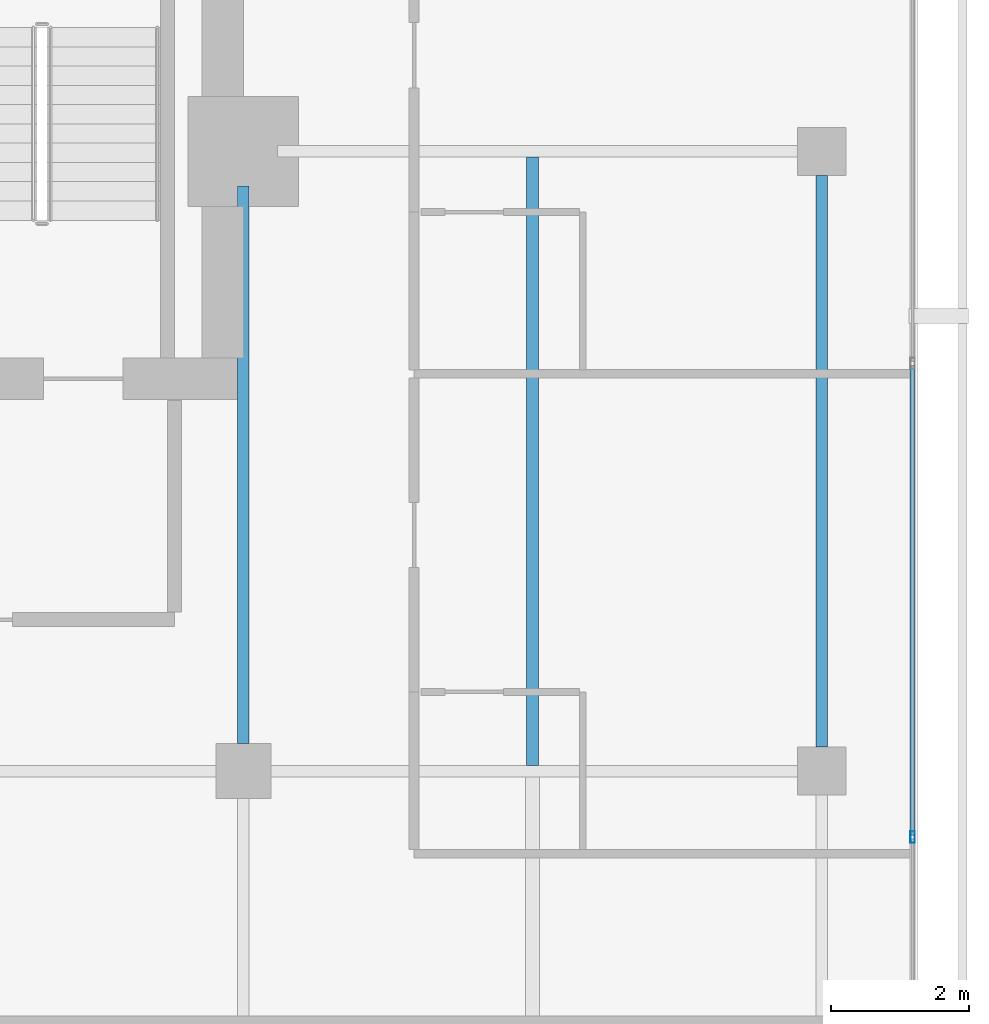
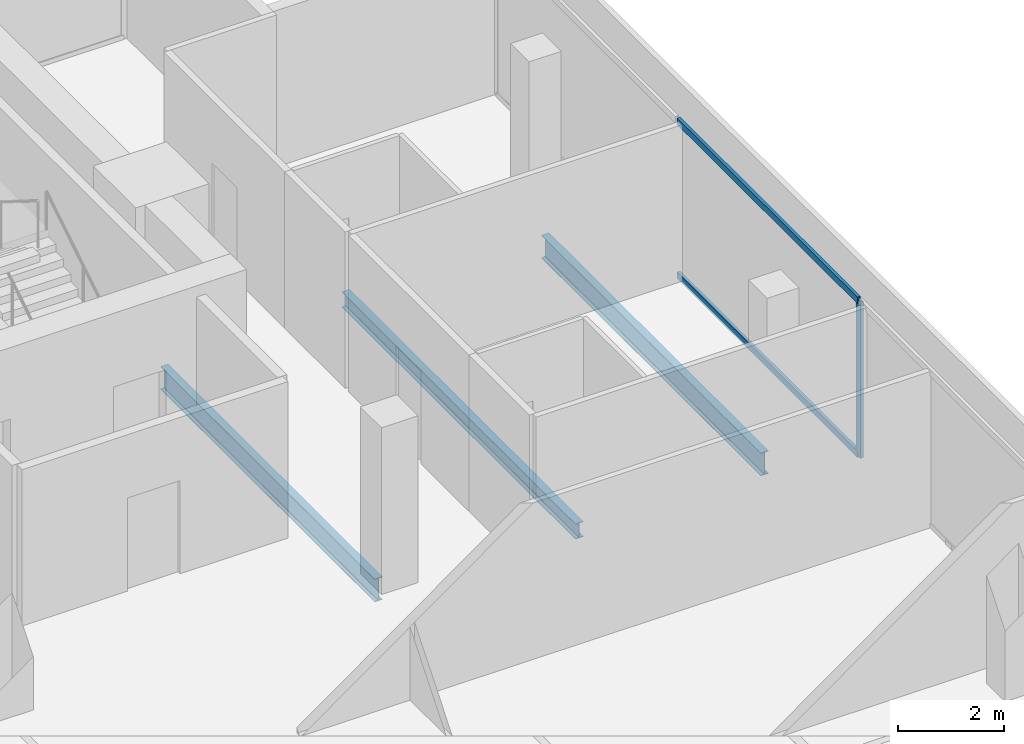
# One storey, part 15 of 25: 3 beams, 3 members, 1 element without a shape of its own.
"""IFC4 building model written with IfcOpenShell, lengths in metres."""

from ifc_helpers import new_model, si_unit, direction, frame, origin, origin_2d, place, context, subcontext, project, spatial, hollow_rectangle, i_section, extrude, material, layer, layer_set, material_profile, profile_set, type_object, element, aggregate, save


model = new_model("IFC4")

# Units and contexts
model_context = context("Model", 3, precision=1e-05, world=origin(), true_north=direction((0.0, 1.0)))
body_context = subcontext(model_context, "Body", "Model", "MODEL_VIEW")
ifc_project = project(units=[si_unit("LENGTHUNIT", "METRE"), si_unit("AREAUNIT", "SQUARE_METRE"), si_unit("VOLUMEUNIT", "CUBIC_METRE"), si_unit("PLANEANGLEUNIT", "RADIAN"), si_unit("MASSUNIT", "GRAM", prefix="KILO")], contexts=[model_context])

# Site, building, storey
site_placement = place(None, origin())
site = spatial("IfcSite", under=ifc_project, at=site_placement, CompositionType="ELEMENT")
building_placement = place(site_placement, origin())
building = spatial("IfcBuilding", under=site, at=building_placement, Name="Maruvema Waterfront Hotel and Observation Tower", CompositionType="ELEMENT")
storey_placement = place(building_placement, frame((0.0, 0.0, 297.14990234375)))
storey = spatial("IfcBuildingStorey", under=building, at=storey_placement, Name="L73", CompositionType="ELEMENT", Elevation=297.14990234375)

# Curtain wall, members
ifc_material_1 = material(Name="Anodised bronze aluminium and solar-control low-E IGU", Category="aluminium")
ifc_layer = layer(ifc_material_1, 0.159912109375, Name="Zone 3 Champagne Inner Thermal Curtain Wall System CW-04")
ifc_layer_set = layer_set([ifc_layer], Name="Anodised bronze aluminium and solar-control low-E IGU")
curtain_wall_type = type_object("IfcCurtainWallType", Name="Zone 3 Champagne Inner Thermal Curtain Wall System CW-04", PredefinedType="USERDEFINED", material=ifc_layer_set)
curtain_wall_placement = place(storey_placement, origin())
curtain_wall = element("IfcCurtainWall", 1, at=curtain_wall_placement, inside=storey, type_object=curtain_wall_type, Name="L73 Curtain Wall CW-L73-E", ObjectType="UNITISED CURTAIN WALL", PredefinedType="USERDEFINED")
ifc_material_2 = material(Name="Anodised architectural bronze aluminium", Category="aluminium")
ifc_material_profile_1 = material_profile(ifc_material_2, hollow_rectangle(XDim=0.070068359375, YDim=0.14990234375, WallThickness=0.00390625, at=origin_2d()), Name="ALU-T70x150")
ifc_profile_set_1 = profile_set([ifc_material_profile_1], Name="Anodised architectural bronze aluminium")
member_type_1 = type_object("IfcMemberType", Name="Curtain Wall Horizontal Transom ALU-T70x150", PredefinedType="USERDEFINED", material=ifc_profile_set_1)
member_1_placement = place(storey_placement, frame((60.1201171875, 35.070068359375, 0.030029296875), z_axis=(0.0, 1.0, 0.0), x_axis=(-1.0, 0.0, 0.0)))
member_1 = element("IfcMember", 2, at=member_1_placement, type_object=member_type_1, Name="CW-04 transom 4.1", ObjectType="TRANSOM", PredefinedType="USERDEFINED", context=body_context, shape_type="SweptSolid", body=[
    extrude(hollow_rectangle(XDim=0.070068359375, YDim=0.14990234375, WallThickness=0.00390625, at=origin_2d()), origin(), (0.0, 0.0, 1.0), 6.81982421875),
])
member_2_placement = place(storey_placement, frame((60.1201171875, 35.070068359375, 3.580078125), z_axis=(0.0, 1.0, 0.0), x_axis=(-1.0, 0.0, 0.0)))
member_2 = element("IfcMember", 3, at=member_2_placement, type_object=member_type_1, Name="CW-04 transom 4.2", ObjectType="TRANSOM", PredefinedType="USERDEFINED", context=body_context, shape_type="SweptSolid", body=[
    extrude(hollow_rectangle(XDim=0.070068359375, YDim=0.14990234375, WallThickness=0.00390625, at=origin_2d()), origin(), (0.0, 0.0, 1.0), 6.81982421875),
])
ifc_material_3 = material(Name="Anodised architectural bronze aluminium", Category="aluminium")
ifc_material_profile_2 = material_profile(ifc_material_3, hollow_rectangle(XDim=0.06494140625, YDim=0.1650390625, WallThickness=0.00390625, at=origin_2d()), Name="ALU-M65x165")
ifc_profile_set_2 = profile_set([ifc_material_profile_2], Name="Anodised architectural bronze aluminium")
member_type_2 = type_object("IfcMemberType", Name="Curtain Wall Primary Mullion ALU-M65x165", PredefinedType="MULLION", material=ifc_profile_set_2)
member_3_placement = place(storey_placement, frame((60.1201171875, 35.0400390625, 0.0), z_axis=(0.0, 0.0, 1.0), x_axis=(-1.0, 0.0, 0.0)))
member_3 = element("IfcMember", 4, at=member_3_placement, type_object=member_type_2, Name="CW-04 mullion 4", PredefinedType="MULLION", context=body_context, shape_type="SweptSolid", body=[
    extrude(hollow_rectangle(XDim=0.06494140625, YDim=0.1650390625, WallThickness=0.00390625, at=origin_2d()), origin(), (0.0, 0.0, 1.0), 3.610107421875),
])
aggregate(curtain_wall, [member_3, member_1, member_2])

# Beams
ifc_material_4 = material(Name="Steel ASTM A572 Grade 50", Category="steel")
ifc_material_profile_3 = material_profile(ifc_material_4, i_section(OverallWidth=0.166015625, OverallDepth=0.529052734375, WebThickness=0.009765625, FlangeThickness=0.013671875, FilletRadius=0.014892578125, at=origin_2d()), Name="W530x74.0")
ifc_profile_set_3 = profile_set([ifc_material_profile_3], Name="Steel ASTM A572 Grade 50")
beam_type_1 = type_object("IfcBeamType", Name="Primary Floor Girder W530x74.0", PredefinedType="BEAM", material=ifc_profile_set_3)
beam_1_placement = place(storey_placement, frame((50.39990234375, 36.39990234375, -0.50439453125), z_axis=(0.0, 1.0, 0.0), x_axis=(-1.0, 0.0, 0.0)))
element("IfcBeam", 5, at=beam_1_placement, inside=storey, type_object=beam_type_1, Name="L73 Floor Girder NS-15", PredefinedType="BEAM", context=body_context, shape_type="SweptSolid", body=[
    extrude(i_section(OverallWidth=0.166015625, OverallDepth=0.529052734375, WebThickness=0.009765625, FlangeThickness=0.013671875, FilletRadius=0.014892578125, at=origin_2d()), origin(), (0.0, 0.0, 1.0), 8.10009765625),
])
beam_2_placement = place(storey_placement, frame((58.800048828125, 36.35009765625, -0.50439453125), z_axis=(0.0, 1.0, 0.0), x_axis=(-1.0, 0.0, 0.0)))
element("IfcBeam", 6, at=beam_2_placement, inside=storey, type_object=beam_type_1, Name="L73 Floor Girder NS-18", PredefinedType="BEAM", context=body_context, shape_type="SweptSolid", body=[
    extrude(i_section(OverallWidth=0.166015625, OverallDepth=0.529052734375, WebThickness=0.009765625, FlangeThickness=0.013671875, FilletRadius=0.014892578125, at=origin_2d()), origin(), (0.0, 0.0, 1.0), 8.2998046875),
])
ifc_material_5 = material(Name="Steel ASTM A572 Grade 50", Category="steel")
ifc_material_profile_4 = material_profile(ifc_material_5, i_section(OverallWidth=0.1708984375, OverallDepth=0.35498046875, WebThickness=0.007080078125, FlangeThickness=0.01171875, FilletRadius=0.014892578125, at=origin_2d()), Name="W360x51.0")
ifc_profile_set_4 = profile_set([ifc_material_profile_4], Name="Steel ASTM A572 Grade 50")
beam_type_2 = type_object("IfcBeamType", Name="Secondary Floor Joist W360x51.0", PredefinedType="JOIST", material=ifc_profile_set_4)
beam_3_placement = place(storey_placement, frame((54.60009765625, 36.0830078125, -0.41748046875), z_axis=(0.0, 1.0, 0.0), x_axis=(-1.0, 0.0, 0.0)))
element("IfcBeam", 7, at=beam_3_placement, inside=storey, type_object=beam_type_2, Name="L73 Secondary Floor Joist JS-09", PredefinedType="JOIST", context=body_context, shape_type="SweptSolid", body=[
    extrude(i_section(OverallWidth=0.1708984375, OverallDepth=0.35498046875, WebThickness=0.007080078125, FlangeThickness=0.01171875, FilletRadius=0.014892578125, at=origin_2d()), origin(), (0.0, 0.0, 1.0), 8.833984375),
])

save(model, "model.ifc")
